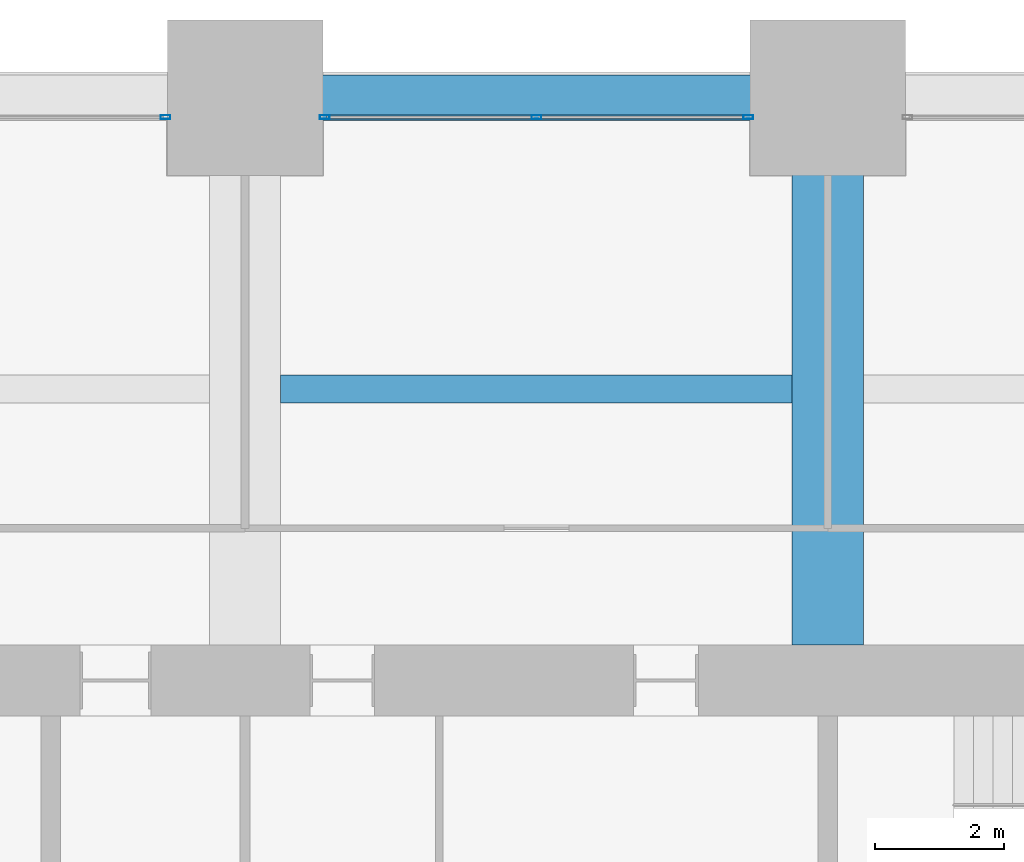
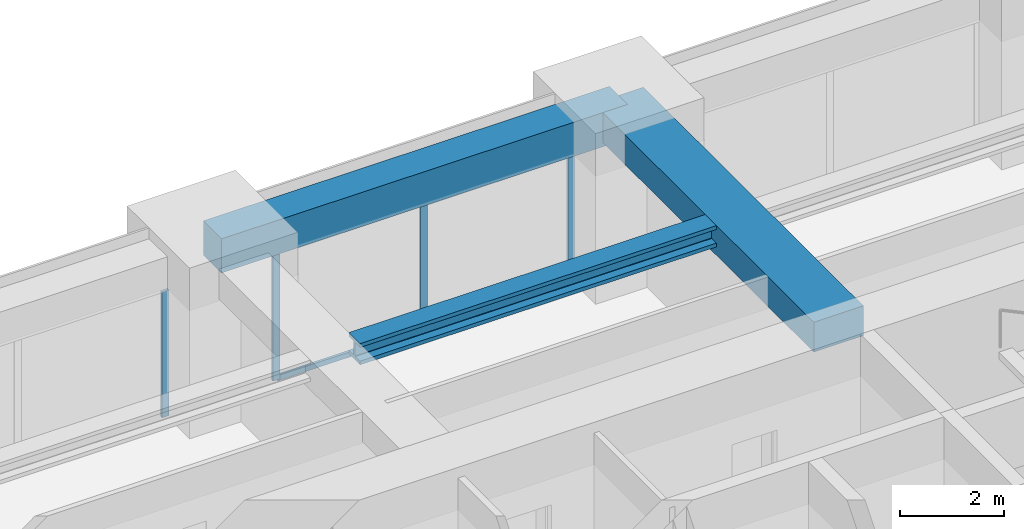
# One storey, part 25 of 32: 5 members, 3 beams, 2 elements without a shape of their own.
"""IFC4 building model written with IfcOpenShell, lengths in metres."""

from ifc_helpers import new_model, si_unit, direction, frame, origin, origin_2d, place, context, subcontext, project, spatial, rectangle, hollow_rectangle, i_section, extrude, material, material_profile, profile_set, type_object, element, aggregate, save


model = new_model("IFC4")

# Units and contexts
model_context = context("Model", 3, precision=1e-05, world=origin(), true_north=direction((0.0, 1.0)))
body_context = subcontext(model_context, "Body", "Model", "MODEL_VIEW")
ifc_project = project(units=[si_unit("LENGTHUNIT", "METRE"), si_unit("AREAUNIT", "SQUARE_METRE"), si_unit("VOLUMEUNIT", "CUBIC_METRE"), si_unit("PLANEANGLEUNIT", "RADIAN"), si_unit("MASSUNIT", "GRAM", prefix="KILO")], contexts=[model_context])

# Site, building, storey
site_placement = place(None, origin())
site = spatial("IfcSite", under=ifc_project, at=site_placement, CompositionType="ELEMENT")
building_placement = place(site_placement, origin())
building = spatial("IfcBuilding", under=site, at=building_placement, Name="Zorevar Civic Tower", CompositionType="ELEMENT")
storey_placement = place(building_placement, frame((0.0, 0.0, 186.199951171875)))
storey = spatial("IfcBuildingStorey", under=building, at=storey_placement, Name="L45", CompositionType="ELEMENT", Elevation=186.199951171875)

# Beam
ifc_material_1 = material(Name="Concrete C50/60", Category="concrete")
ifc_material_profile_1 = material_profile(ifc_material_1, rectangle(XDim=1.10009765625, YDim=0.699951171875, at=origin_2d()), Name="RC 1100x700")
ifc_profile_set_1 = profile_set([ifc_material_profile_1], Name="Concrete C50/60")
beam_type_1 = type_object("IfcBeamType", Name="Beam RC 1100x700", PredefinedType="BEAM", material=ifc_profile_set_1)
beam_1_placement = place(storey_placement, frame((36.0, 36.550048828125, 3.400146484375), z_axis=(0.0, 1.0, 0.0), x_axis=(-1.0, 0.0, 0.0)))
element("IfcBeam", 1, at=beam_1_placement, inside=storey, type_object=beam_type_1, Name="Girder L46", PredefinedType="BEAM", context=body_context, shape_type="SweptSolid", body=[
    extrude(rectangle(XDim=1.10009765625, YDim=0.699951171875, at=origin_2d()), origin(), (0.0, 0.0, 1.0), 8.449951171875),
])

# Curtain wall, member
ifc_material_2 = material(Name="Dark grey solar-control glass in black aluminium frame", Category="aluminium")
curtain_wall_type = type_object("IfcCurtainWallType", Name="Curtain wall CW4 high zone", PredefinedType="NOTDEFINED", material=ifc_material_2)
curtain_wall_1_placement = place(storey_placement, origin())
curtain_wall_1 = element("IfcCurtainWall", 2, at=curtain_wall_1_placement, inside=storey, type_object=curtain_wall_type, Name="CW4 L45", PredefinedType="NOTDEFINED")
ifc_material_3 = material(Name="Aluminium, black anodised", Category="aluminium")
ifc_material_profile_2 = material_profile(ifc_material_3, hollow_rectangle(XDim=0.06005859375, YDim=0.14990234375, WallThickness=0.00390625, at=origin_2d()), Name="AL 150x60x4")
ifc_profile_set_2 = profile_set([ifc_material_profile_2], Name="Aluminium, black anodised")
member_type_1 = type_object("IfcMemberType", Name="CW4 mullion AL 150x60x4", PredefinedType="MULLION", material=ifc_profile_set_2)
member_1_placement = place(storey_placement, frame((25.77001953125, 44.699951171875, 0.0), z_axis=(0.0, 0.0, 1.0), x_axis=(0.0, 1.0, 0.0)))
member_1 = element("IfcMember", 3, at=member_1_placement, type_object=member_type_1, Name="CW4 mullion 3", PredefinedType="MULLION", context=body_context, shape_type="SweptSolid", body=[
    extrude(hollow_rectangle(XDim=0.06005859375, YDim=0.14990234375, WallThickness=0.00390625, at=origin_2d()), origin(), (0.0, 0.0, 1.0), 2.949951171875),
])
aggregate(curtain_wall_1, [member_1])

# Curtain wall, members
curtain_wall_2_placement = place(storey_placement, origin())
curtain_wall_2 = element("IfcCurtainWall", 4, at=curtain_wall_2_placement, inside=storey, type_object=curtain_wall_type, Name="CW4 L45", PredefinedType="NOTDEFINED")
member_2_placement = place(storey_placement, frame((28.22998046875, 44.699951171875, 0.0), z_axis=(0.0, 0.0, 1.0), x_axis=(0.0, 1.0, 0.0)))
member_2 = element("IfcMember", 5, at=member_2_placement, type_object=member_type_1, Name="CW4 mullion 1", PredefinedType="MULLION", context=body_context, shape_type="SweptSolid", body=[
    extrude(hollow_rectangle(XDim=0.06005859375, YDim=0.14990234375, WallThickness=0.00390625, at=origin_2d()), origin(), (0.0, 0.0, 1.0), 2.949951171875),
])
member_3_placement = place(storey_placement, frame((31.5, 44.699951171875, 0.06005859375), z_axis=(0.0, 0.0, 1.0), x_axis=(0.0, 1.0, 0.0)))
member_3 = element("IfcMember", 6, at=member_3_placement, type_object=member_type_1, Name="CW4 mullion 2", PredefinedType="MULLION", context=body_context, shape_type="SweptSolid", body=[
    extrude(hollow_rectangle(XDim=0.06005859375, YDim=0.14990234375, WallThickness=0.00390625, at=origin_2d()), origin(), (0.0, 0.0, 1.0), 2.889892578125),
])
member_4_placement = place(storey_placement, frame((34.77001953125, 44.699951171875, 0.0), z_axis=(0.0, 0.0, 1.0), x_axis=(0.0, 1.0, 0.0)))
member_4 = element("IfcMember", 7, at=member_4_placement, type_object=member_type_1, Name="CW4 mullion 3", PredefinedType="MULLION", context=body_context, shape_type="SweptSolid", body=[
    extrude(hollow_rectangle(XDim=0.06005859375, YDim=0.14990234375, WallThickness=0.00390625, at=origin_2d()), origin(), (0.0, 0.0, 1.0), 2.949951171875),
])
ifc_material_4 = material(Name="Aluminium, black anodised", Category="aluminium")
ifc_material_profile_3 = material_profile(ifc_material_4, hollow_rectangle(XDim=0.06005859375, YDim=0.1201171875, WallThickness=0.0029296875, at=origin_2d()), Name="AL 120x60x3")
ifc_profile_set_3 = profile_set([ifc_material_profile_3], Name="Aluminium, black anodised")
member_type_2 = type_object("IfcMemberType", Name="CW4 transom AL 120x60x3", PredefinedType="USERDEFINED", material=ifc_profile_set_3)
member_5_placement = place(storey_placement, frame((28.260009765625, 44.699951171875, 0.030029296875), z_axis=(1.0, 0.0, 0.0), x_axis=(0.0, 1.0, 0.0)))
member_5 = element("IfcMember", 8, at=member_5_placement, type_object=member_type_2, Name="CW4 sill transom", ObjectType="TRANSOM", PredefinedType="USERDEFINED", context=body_context, shape_type="SweptSolid", body=[
    extrude(hollow_rectangle(XDim=0.06005859375, YDim=0.1201171875, WallThickness=0.0029296875, at=origin_2d()), origin(), (0.0, 0.0, 1.0), 6.47998046875),
])
aggregate(curtain_wall_2, [member_2, member_3, member_4, member_5])

# Beams
ifc_material_5 = material(Name="Steel S460M (HISTAR 460)", Category="steel")
ifc_material_profile_4 = material_profile(ifc_material_5, i_section(OverallWidth=0.431884765625, OverallDepth=0.498046875, WebThickness=0.0556640625, FlangeThickness=0.0888671875, FilletRadius=0.014892578125, at=origin_2d()), Name="HD 400x744")
ifc_profile_set_4 = profile_set([ifc_material_profile_4], Name="Steel S460M (HISTAR 460)")
beam_type_2 = type_object("IfcBeamType", Name="Core bay beam HD 400x744", PredefinedType="BEAM", material=ifc_profile_set_4)
beam_2_placement = place(storey_placement, frame((27.550048828125, 40.5, 3.5009765625), z_axis=(1.0, 0.0, 0.0), x_axis=(0.0, 1.0, 0.0)))
element("IfcBeam", 9, at=beam_2_placement, inside=storey, type_object=beam_type_2, Name="Secondary beam L46", PredefinedType="BEAM", context=body_context, shape_type="SweptSolid", body=[
    extrude(i_section(OverallWidth=0.431884765625, OverallDepth=0.498046875, WebThickness=0.0556640625, FlangeThickness=0.0888671875, FilletRadius=0.014892578125, at=origin_2d()), origin(), (0.0, 0.0, 1.0), 7.89990234375),
])
ifc_material_6 = material(Name="Concrete C50/60", Category="concrete")
ifc_material_profile_5 = material_profile(ifc_material_6, rectangle(XDim=0.699951171875, YDim=0.800048828125, at=origin_2d()), Name="RC 700x800")
ifc_profile_set_5 = profile_set([ifc_material_profile_5], Name="Concrete C50/60")
beam_type_3 = type_object("IfcBeamType", Name="Edge beam RC 700x800", PredefinedType="SPANDREL", material=ifc_profile_set_5)
beam_3_placement = place(storey_placement, frame((27.0, 45.0, 3.35009765625), z_axis=(1.0, 0.0, 0.0), x_axis=(0.0, 1.0, 0.0)))
element("IfcBeam", 10, at=beam_3_placement, inside=storey, type_object=beam_type_3, Name="Edge beam L46", PredefinedType="SPANDREL", context=body_context, shape_type="SweptSolid", body=[
    extrude(rectangle(XDim=0.699951171875, YDim=0.800048828125, at=origin_2d()), origin(), (0.0, 0.0, 1.0), 9.0),
])

save(model, "model.ifc")
